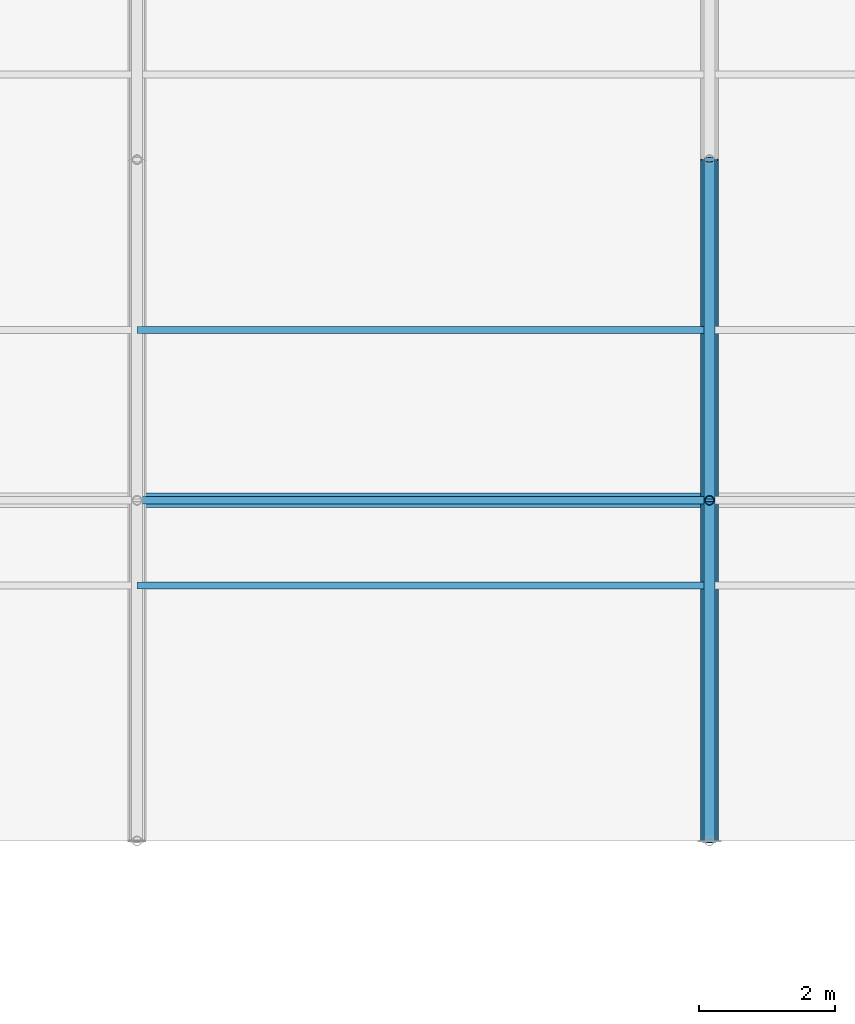
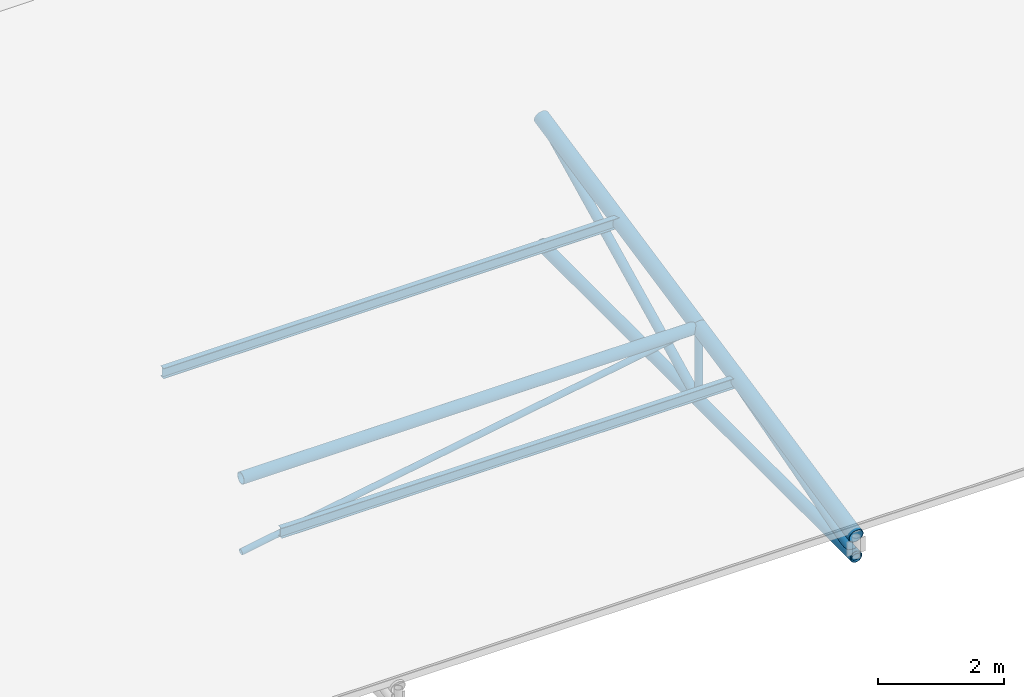
# One storey, part 30 of 194: 9 members, 2 beams.
"""IFC4 building model written with IfcOpenShell, lengths in metres."""

from ifc_helpers import new_model, si_unit, direction, frame, origin, origin_2d, place, context, subcontext, project, spatial, hollow_circle, i_section, extrude, material, material_profile, profile_set, type_object, element, save


model = new_model("IFC4")

# Units and contexts
model_context = context("Model", 3, precision=1e-05, world=origin(), true_north=direction((0.0, 1.0)))
body_context = subcontext(model_context, "Body", "Model", "MODEL_VIEW")
ifc_project = project(units=[si_unit("LENGTHUNIT", "METRE"), si_unit("AREAUNIT", "SQUARE_METRE"), si_unit("VOLUMEUNIT", "CUBIC_METRE"), si_unit("PLANEANGLEUNIT", "RADIAN"), si_unit("MASSUNIT", "GRAM", prefix="KILO")], contexts=[model_context])

# Site, building, storey
site_placement = place(None, origin())
site = spatial("IfcSite", under=ifc_project, at=site_placement, CompositionType="ELEMENT")
building_placement = place(site_placement, origin())
building = spatial("IfcBuilding", under=site, at=building_placement, Name="Kazenagashi Tramway Depot", CompositionType="ELEMENT")
storey_placement = place(building_placement, frame((0.0, 0.0, 23.7)))
storey = spatial("IfcBuildingStorey", under=building, at=storey_placement, Name="ROOF", CompositionType="ELEMENT", Elevation=23.7)

# Beams
ifc_material_1 = material(Name="Steel SN400B", Category="steel")
ifc_material_profile_1 = material_profile(ifc_material_1, i_section(OverallWidth=0.1, OverallDepth=0.2, WebThickness=0.0055, FlangeThickness=0.008, at=origin_2d()), Name="H-200x100x5.5x8")
ifc_profile_set_1 = profile_set([ifc_material_profile_1], Name="Steel SN400B")
beam_type = type_object("IfcBeamType", Name="PR-01", PredefinedType="USERDEFINED", material=ifc_profile_set_1)
for number, where, z_axis, x_axis, name in (
    (1, (103.6, 73.75, -12.955), (1.0, 0.0, 0.0), (0.0, 1.0, 0.0), "Beam PR-01 BM-2025"),
    (2, (103.6, 77.5, -12.13), (1.0, 0.0, 0.0), (0.0, 1.0, 0.0), "Beam PR-01 BM-2043"),
):
    element("IfcBeam", number, at=place(storey_placement, frame(where, z_axis=z_axis, x_axis=x_axis)), inside=storey, type_object=beam_type, Name=name, ObjectType="PURLIN", PredefinedType="USERDEFINED", context=body_context, shape_type="SweptSolid", body=[
        extrude(i_section(OverallWidth=0.1, OverallDepth=0.2, WebThickness=0.0055, FlangeThickness=0.008, at=origin_2d()), origin(), (0.0, 0.0, 1.0), 8.4),
    ])

# Members
ifc_material_2 = material(Name="Steel STK490", Category="steel")
ifc_material_profile_2 = material_profile(ifc_material_2, hollow_circle(Radius=0.1337, WallThickness=0.0093, at=origin_2d()), Name="CHS-267.4x9.3")
ifc_profile_set_2 = profile_set([ifc_material_profile_2], Name="Steel STK490")
member_type_1 = type_object("IfcMemberType", Name="TC-01", PredefinedType="CHORD", material=ifc_profile_set_2)
member_1_placement = place(storey_placement, frame((112.0, 70.0, -13.7), z_axis=(0.0, 0.979317999984, 0.202327098797), x_axis=(-1.0, 0.0, 0.0)))
element("IfcMember", 3, at=member_1_placement, inside=storey, type_object=member_type_1, Name="Tubular Space Frame TC-01 MEM-0489", PredefinedType="CHORD", context=body_context, shape_type="SweptSolid", body=[
    extrude(hollow_circle(Radius=0.1337, WallThickness=0.0093, at=origin_2d()), origin(), (0.0, 0.0, 1.0), 5.105594),
])
member_2_placement = place(storey_placement, frame((112.0, 75.0, -12.667), z_axis=(0.0, 0.979279174591, 0.202514933305), x_axis=(-1.0, 0.0, 0.0)))
element("IfcMember", 4, at=member_2_placement, inside=storey, type_object=member_type_1, Name="Tubular Space Frame TC-01 MEM-0492", PredefinedType="CHORD", context=body_context, shape_type="SweptSolid", body=[
    extrude(hollow_circle(Radius=0.1337, WallThickness=0.0093, at=origin_2d()), origin(), (0.0, 0.0, 1.0), 5.105796),
])
ifc_material_profile_3 = material_profile(ifc_material_2, hollow_circle(Radius=0.10815, WallThickness=0.0082, at=origin_2d()), Name="CHS-216.3x8.2")
ifc_profile_set_3 = profile_set([ifc_material_profile_3], Name="Steel STK490")
member_type_2 = type_object("IfcMemberType", Name="TC-02", PredefinedType="CHORD", material=ifc_profile_set_3)
member_3_placement = place(storey_placement, frame((103.6, 75.0, -12.667), z_axis=(1.0, 0.0, 0.0), x_axis=(0.0, 1.0, 0.0)))
element("IfcMember", 5, at=member_3_placement, inside=storey, type_object=member_type_2, Name="Tubular Space Frame TC-02 MEM-0453", PredefinedType="CHORD", context=body_context, shape_type="SweptSolid", body=[
    extrude(hollow_circle(Radius=0.10815, WallThickness=0.0082, at=origin_2d()), origin(), (0.0, 0.0, 1.0), 8.4),
])
for number, where, z_axis, x_axis, name in (
    (6, (112.0, 70.0, -14.1), (0.0, 1.0, 0.0), (-1.0, 0.0, 0.0), "Tubular Space Frame TC-02 MEM-0490"),
    (7, (112.0, 75.0, -14.1), (0.0, 1.0, 0.0), (-1.0, 0.0, 0.0), "Tubular Space Frame TC-02 MEM-0493"),
):
    element("IfcMember", number, at=place(storey_placement, frame(where, z_axis=z_axis, x_axis=x_axis)), inside=storey, type_object=member_type_2, Name=name, PredefinedType="CHORD", context=body_context, shape_type="SweptSolid", body=[
        extrude(hollow_circle(Radius=0.10815, WallThickness=0.0082, at=origin_2d()), origin(), (0.0, 0.0, 1.0), 5.0),
    ])
ifc_material_profile_4 = material_profile(ifc_material_2, hollow_circle(Radius=0.0826, WallThickness=0.0071, at=origin_2d()), Name="CHS-165.2x7.1")
ifc_profile_set_4 = profile_set([ifc_material_profile_4], Name="Steel STK490")
member_type_3 = type_object("IfcMemberType", Name="TS-01", PredefinedType="STRUT", material=ifc_profile_set_4)
member_4_placement = place(storey_placement, frame((112.0, 70.0, -14.1), z_axis=(0.0, 0.961298717795, 0.27550821252), x_axis=(-1.0, 0.0, 0.0)))
element("IfcMember", 8, at=member_4_placement, inside=storey, type_object=member_type_3, Name="Tubular Space Frame TS-01 MEM-0491", PredefinedType="STRUT", context=body_context, shape_type="SweptSolid", body=[
    extrude(hollow_circle(Radius=0.0826, WallThickness=0.0071, at=origin_2d()), origin(), (0.0, 0.0, 1.0), 5.201297),
])
member_5_placement = place(storey_placement, frame((112.0, 75.0, -14.1), z_axis=(0.0, 0.896782162482, 0.442472318969), x_axis=(-1.0, 0.0, 0.0)))
element("IfcMember", 9, at=member_5_placement, inside=storey, type_object=member_type_3, Name="Tubular Space Frame TS-01 MEM-0494", PredefinedType="STRUT", context=body_context, shape_type="SweptSolid", body=[
    extrude(hollow_circle(Radius=0.0826, WallThickness=0.0071, at=origin_2d()), origin(), (0.0, 0.0, 1.0), 5.57549),
])
ifc_material_profile_5 = material_profile(ifc_material_2, hollow_circle(Radius=0.0699, WallThickness=0.0066, at=origin_2d()), Name="CHS-139.8x6.6")
ifc_profile_set_5 = profile_set([ifc_material_profile_5], Name="Steel STK490")
member_type_4 = type_object("IfcMemberType", Name="TS-02", PredefinedType="STRUT", material=ifc_profile_set_5)
member_6_placement = place(storey_placement, frame((112.0, 75.0, -14.1), z_axis=(0.0, 0.0, 1.0), x_axis=(1.0, 0.0, 0.0)))
element("IfcMember", 10, at=member_6_placement, inside=storey, type_object=member_type_4, Name="Tubular Space Frame TS-02 MEM-0508", PredefinedType="STRUT", context=body_context, shape_type="SweptSolid", body=[
    extrude(hollow_circle(Radius=0.0699, WallThickness=0.0066, at=origin_2d()), origin(), (0.0, 0.0, 1.0), 1.433),
])
ifc_material_3 = material(Name="Steel STK400", Category="steel")
ifc_material_profile_6 = material_profile(ifc_material_3, hollow_circle(Radius=0.05715, WallThickness=0.0045, at=origin_2d()), Name="CHS-114.3x4.5")
ifc_profile_set_6 = profile_set([ifc_material_profile_6], Name="Steel STK400")
member_type_5 = type_object("IfcMemberType", Name="TS-03", PredefinedType="STRUT", material=ifc_profile_set_6)
member_7_placement = place(storey_placement, frame((103.6, 75.0, -14.1), z_axis=(0.985758734117, 0.0, 0.168165745951), x_axis=(0.0, 1.0, 0.0)))
element("IfcMember", 11, at=member_7_placement, inside=storey, type_object=member_type_5, Name="Tubular Space Frame TS-03 MEM-0454", PredefinedType="STRUT", context=body_context, shape_type="SweptSolid", body=[
    extrude(hollow_circle(Radius=0.05715, WallThickness=0.0045, at=origin_2d()), origin(), (0.0, 0.0, 1.0), 8.521355),
])

save(model, "model.ifc")
